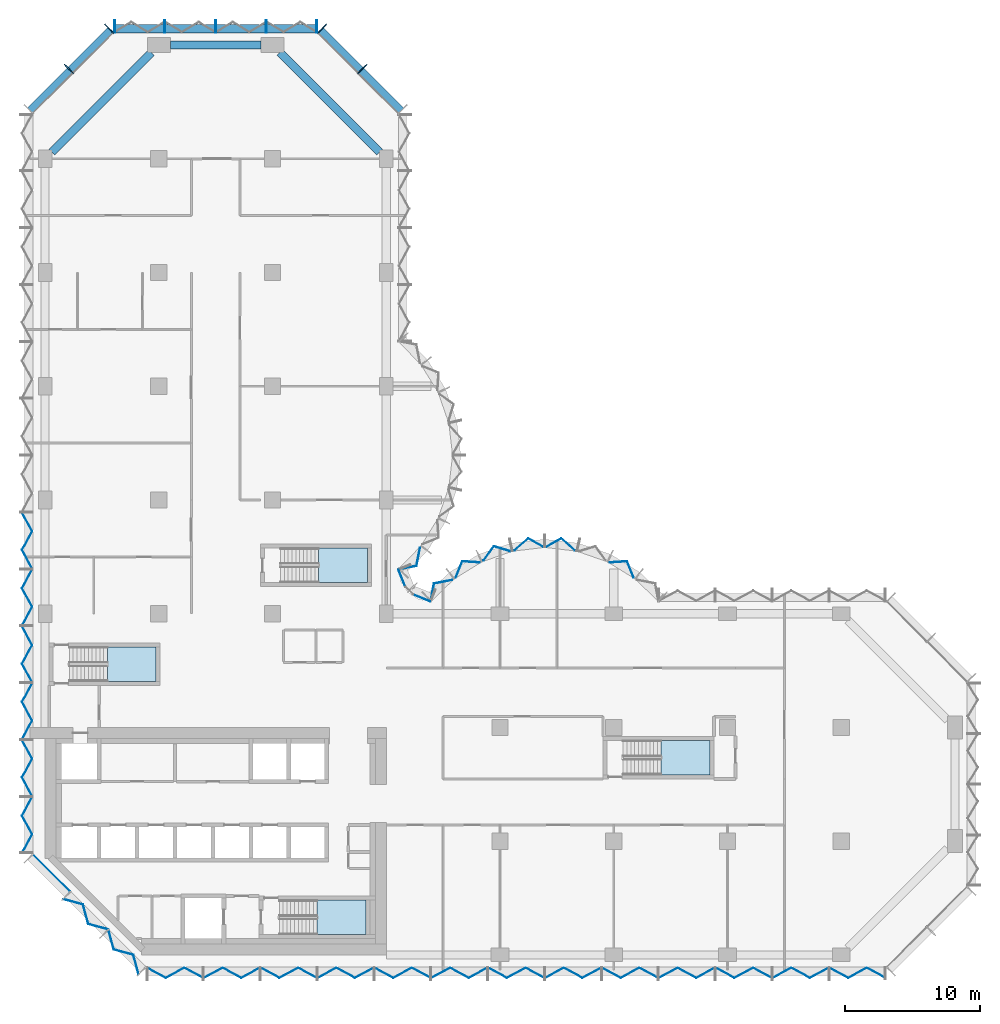
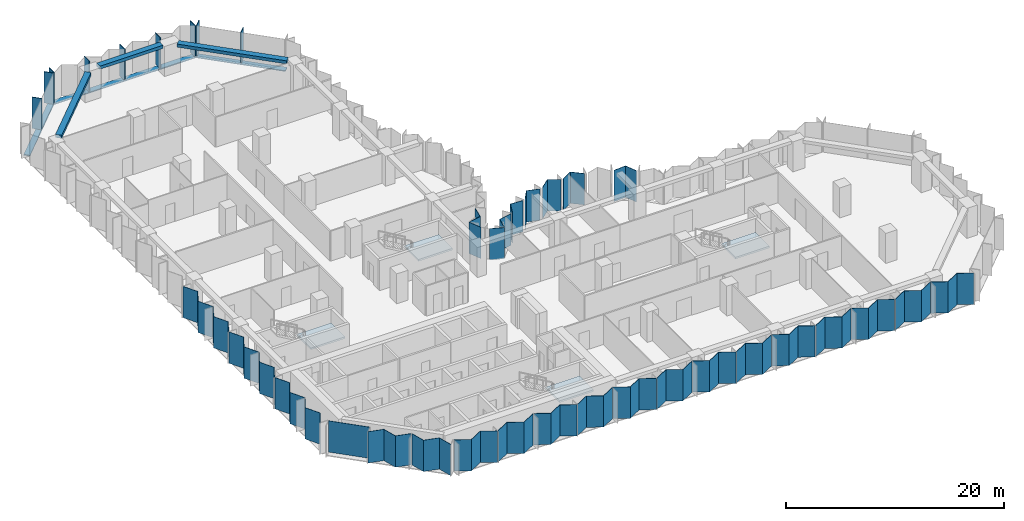
# One storey, part 5 of 13: 31 plates, 12 members, 4 slabs, 3 beams, 13 elements without a shape of their own.
"""IFC4 building model written with IfcOpenShell, lengths in metres."""

from ifc_helpers import new_model, si_unit, direction, frame, origin, origin_2d, place, context, subcontext, project, spatial, polyline, rectangle, outline, extrude, material, layer, layer_set, material_profile, profile_set, type_object, element, aggregate, save


model = new_model("IFC4")

# Units and contexts
model_context = context("Model", 3, precision=1e-05, world=origin(), true_north=direction((0.0, 1.0)))
body_context = subcontext(model_context, "Body", "Model", "MODEL_VIEW")
ifc_project = project(units=[si_unit("LENGTHUNIT", "METRE"), si_unit("AREAUNIT", "SQUARE_METRE"), si_unit("VOLUMEUNIT", "CUBIC_METRE"), si_unit("PLANEANGLEUNIT", "RADIAN"), si_unit("MASSUNIT", "GRAM", prefix="KILO")], contexts=[model_context])

# Site, building, storey
site_placement = place(None, origin())
site = spatial("IfcSite", under=ifc_project, at=site_placement, CompositionType="ELEMENT")
building_placement = place(site_placement, origin())
building = spatial("IfcBuilding", under=site, at=building_placement, Name="Brevane Broadcast Tower", CompositionType="ELEMENT")
storey_placement = place(building_placement, frame((0.0, 0.0, 120.5)))
storey = spatial("IfcBuildingStorey", under=building, at=storey_placement, Name="L29", CompositionType="ELEMENT", Elevation=120.5)

# Curtain wall, members
ifc_material_1 = material(Name="Aluminium 6063-T6 bronze anodised", Category="aluminium")
curtain_wall_type = type_object("IfcCurtainWallType", Name="CW-1 curtain wall", PredefinedType="NOTDEFINED", material=ifc_material_1)
curtain_wall_1_placement = place(storey_placement, origin())
curtain_wall_1 = element("IfcCurtainWall", 1, at=curtain_wall_1_placement, inside=storey, type_object=curtain_wall_type, Name="CW-1 typical tilted unit L29 north arm north-east chamfer", PredefinedType="NOTDEFINED")
ifc_material_profile_1 = material_profile(ifc_material_1, rectangle(XDim=0.949951171875, YDim=0.070068359375, at=origin_2d()), Name="RECT 70x950")
ifc_profile_set_1 = profile_set([ifc_material_profile_1], Name="Aluminium 6063-T6 bronze anodised")
member_type_1 = type_object("IfcMemberType", Name="CW-1 mullion 70x950", PredefinedType="MULLION", material=ifc_profile_set_1)
member_1_placement = place(storey_placement, frame((23.435791015625, 65.435791015625, -0.14990234375), z_axis=(0.0, 0.0, 1.0), x_axis=(-0.707106781187, -0.707106781187, 0.0)))
member_1 = element("IfcMember", 2, at=member_1_placement, type_object=member_type_1, Name="CW-1 mullion", PredefinedType="MULLION", context=body_context, shape_type="SweptSolid", body=[
    extrude(rectangle(XDim=0.949951171875, YDim=0.070068359375, at=origin_2d()), origin(), (0.0, 0.0, 1.0), 3.5),
])
member_2_placement = place(storey_placement, frame((20.460693359375, 68.4111328125, -0.14990234375), z_axis=(0.0, 0.0, 1.0), x_axis=(-0.707106781187, -0.707106781187, 0.0)))
member_2 = element("IfcMember", 3, at=member_2_placement, type_object=member_type_1, Name="CW-1 mullion", PredefinedType="MULLION", context=body_context, shape_type="SweptSolid", body=[
    extrude(rectangle(XDim=0.949951171875, YDim=0.070068359375, at=origin_2d()), origin(), (0.0, 0.0, 1.0), 3.5),
])

curtain_wall_2_placement = place(storey_placement, origin())
curtain_wall_2 = element("IfcCurtainWall", 4, at=curtain_wall_2_placement, inside=storey, type_object=curtain_wall_type, Name="CW-1 typical tilted unit L29 north end", PredefinedType="NOTDEFINED")
member_3_placement = place(storey_placement, frame((20.06494140625, 68.574951171875, -0.14990234375), z_axis=(0.0, 0.0, 1.0), x_axis=(0.0, -1.0, 0.0)))
member_3 = element("IfcMember", 5, at=member_3_placement, type_object=member_type_1, Name="CW-1 mullion", PredefinedType="MULLION", context=body_context, shape_type="SweptSolid", body=[
    extrude(rectangle(XDim=0.949951171875, YDim=0.070068359375, at=origin_2d()), origin(), (0.0, 0.0, 1.0), 3.5),
])
member_4_placement = place(storey_placement, frame((16.35009765625, 68.574951171875, -0.14990234375), z_axis=(0.0, 0.0, 1.0), x_axis=(0.0, -1.0, 0.0)))
member_4 = element("IfcMember", 6, at=member_4_placement, type_object=member_type_1, Name="CW-1 mullion", PredefinedType="MULLION", context=body_context, shape_type="SweptSolid", body=[
    extrude(rectangle(XDim=0.949951171875, YDim=0.070068359375, at=origin_2d()), origin(), (0.0, 0.0, 1.0), 3.5),
])
member_5_placement = place(storey_placement, frame((12.60009765625, 68.574951171875, -0.14990234375), z_axis=(0.0, 0.0, 1.0), x_axis=(0.0, -1.0, 0.0)))
member_5 = element("IfcMember", 7, at=member_5_placement, type_object=member_type_1, Name="CW-1 mullion", PredefinedType="MULLION", context=body_context, shape_type="SweptSolid", body=[
    extrude(rectangle(XDim=0.949951171875, YDim=0.070068359375, at=origin_2d()), origin(), (0.0, 0.0, 1.0), 3.5),
])
member_6_placement = place(storey_placement, frame((8.85009765625, 68.574951171875, -0.14990234375), z_axis=(0.0, 0.0, 1.0), x_axis=(0.0, -1.0, 0.0)))
member_6 = element("IfcMember", 8, at=member_6_placement, type_object=member_type_1, Name="CW-1 mullion", PredefinedType="MULLION", context=body_context, shape_type="SweptSolid", body=[
    extrude(rectangle(XDim=0.949951171875, YDim=0.070068359375, at=origin_2d()), origin(), (0.0, 0.0, 1.0), 3.5),
])
member_7_placement = place(storey_placement, frame((5.135009765625, 68.574951171875, -0.14990234375), z_axis=(0.0, 0.0, 1.0), x_axis=(0.0, -1.0, 0.0)))
member_7 = element("IfcMember", 9, at=member_7_placement, type_object=member_type_1, Name="CW-1 mullion", PredefinedType="MULLION", context=body_context, shape_type="SweptSolid", body=[
    extrude(rectangle(XDim=0.949951171875, YDim=0.070068359375, at=origin_2d()), origin(), (0.0, 0.0, 1.0), 3.5),
])

curtain_wall_3_placement = place(storey_placement, origin())
curtain_wall_3 = element("IfcCurtainWall", 10, at=curtain_wall_3_placement, inside=storey, type_object=curtain_wall_type, Name="CW-1 typical tilted unit L29 north-west chamfer", PredefinedType="NOTDEFINED")
member_8_placement = place(storey_placement, frame((4.7392578125, 68.4111328125, -0.14990234375), z_axis=(0.0, 0.0, 1.0), x_axis=(0.707106781187, -0.707106781187, 0.0)))
member_8 = element("IfcMember", 11, at=member_8_placement, type_object=member_type_1, Name="CW-1 mullion", PredefinedType="MULLION", context=body_context, shape_type="SweptSolid", body=[
    extrude(rectangle(XDim=0.949951171875, YDim=0.070068359375, at=origin_2d()), origin(), (0.0, 0.0, 1.0), 3.5),
])
member_9_placement = place(storey_placement, frame((1.76416015625, 65.435791015625, -0.14990234375), z_axis=(0.0, 0.0, 1.0), x_axis=(0.707106781187, -0.707106781187, 0.0)))
member_9 = element("IfcMember", 12, at=member_9_placement, type_object=member_type_1, Name="CW-1 mullion", PredefinedType="MULLION", context=body_context, shape_type="SweptSolid", body=[
    extrude(rectangle(XDim=0.949951171875, YDim=0.070068359375, at=origin_2d()), origin(), (0.0, 0.0, 1.0), 3.5),
])

# Member
ifc_material_profile_2 = material_profile(ifc_material_1, rectangle(XDim=0.60009765625, YDim=0.10009765625, at=origin_2d()), Name="RECT 100x600")
ifc_profile_set_2 = profile_set([ifc_material_profile_2], Name="Aluminium 6063-T6 bronze anodised")
member_type_2 = type_object("IfcMemberType", Name="CW-1 transom 100x600", PredefinedType="USERDEFINED", material=ifc_profile_set_2)
member_10_placement = place(storey_placement, frame((26.31201171875, 62.31201171875, -0.199951171875), z_axis=(-0.707106781187, 0.707106781187, 0.0), x_axis=(-0.707106781187, -0.707106781187, 0.0)))
member_10 = element("IfcMember", 13, at=member_10_placement, type_object=member_type_2, Name="CW-1 transom", ObjectType="TRANSOM", PredefinedType="USERDEFINED", context=body_context, shape_type="SweptSolid", body=[
    extrude(rectangle(XDim=0.60009765625, YDim=0.10009765625, at=origin_2d()), origin(), (0.0, 0.0, 1.0), 8.4853515625),
])

aggregate(curtain_wall_1, [member_1, member_2, member_10])

member_11_placement = place(storey_placement, frame((20.10009765625, 68.39990234375, -0.199951171875), z_axis=(-1.0, 0.0, 0.0), x_axis=(0.0, -1.0, 0.0)))
member_11 = element("IfcMember", 14, at=member_11_placement, type_object=member_type_2, Name="CW-1 transom", ObjectType="TRANSOM", PredefinedType="USERDEFINED", context=body_context, shape_type="SweptSolid", body=[
    extrude(rectangle(XDim=0.60009765625, YDim=0.10009765625, at=origin_2d()), origin(), (0.0, 0.0, 1.0), 15.0),
])

aggregate(curtain_wall_2, [member_3, member_4, member_5, member_6, member_7, member_11])

member_12_placement = place(storey_placement, frame((4.887939453125, 68.31201171875, -0.199951171875), z_axis=(-0.707106781187, -0.707106781187, 0.0), x_axis=(0.707106781187, -0.707106781187, 0.0)))
member_12 = element("IfcMember", 15, at=member_12_placement, type_object=member_type_2, Name="CW-1 transom", ObjectType="TRANSOM", PredefinedType="USERDEFINED", context=body_context, shape_type="SweptSolid", body=[
    extrude(rectangle(XDim=0.60009765625, YDim=0.10009765625, at=origin_2d()), origin(), (0.0, 0.0, 1.0), 8.4853515625),
])

aggregate(curtain_wall_3, [member_8, member_9, member_12])

# Beams
ifc_material_2 = material(Name="Concrete C40/50", Category="concrete")
ifc_material_profile_3 = material_profile(ifc_material_2, rectangle(XDim=0.60009765625, YDim=0.35009765625, at=origin_2d()), Name="RC 600x350")
ifc_profile_set_3 = profile_set([ifc_material_profile_3], Name="Concrete C40/50")
beam_type = type_object("IfcBeamType", Name="RC SPANDREL BEAM 600x350 C40/50", PredefinedType="SPANDREL", material=ifc_profile_set_3)
beam_1_placement = place(storey_placement, frame((24.699951171875, 59.300048828125, 3.175048828125), z_axis=(-0.707106781187, 0.707106781187, 0.0), x_axis=(-0.707106781187, -0.707106781187, 0.0)))
element("IfcBeam", 16, at=beam_1_placement, inside=storey, type_object=beam_type, Name="EB1 L29-16", PredefinedType="SPANDREL", context=body_context, shape_type="SweptSolid", body=[
    extrude(rectangle(XDim=0.60009765625, YDim=0.35009765625, at=origin_2d()), origin(), (0.0, 0.0, 1.0), 10.394287109375),
])
beam_2_placement = place(storey_placement, frame((15.949951171875, 67.199951171875, 3.175048828125), z_axis=(-1.0, 0.0, 0.0), x_axis=(0.0, -1.0, 0.0)))
element("IfcBeam", 17, at=beam_2_placement, inside=storey, type_object=beam_type, Name="EB1 L29-17", PredefinedType="SPANDREL", context=body_context, shape_type="SweptSolid", body=[
    extrude(rectangle(XDim=0.60009765625, YDim=0.35009765625, at=origin_2d()), origin(), (0.0, 0.0, 1.0), 6.699951171875),
])
beam_3_placement = place(storey_placement, frame((7.85009765625, 66.64990234375, 3.175048828125), z_axis=(-0.707118524903, -0.707095037275, 0.0), x_axis=(0.707095037275, -0.707118524903, 0.0)))
element("IfcBeam", 18, at=beam_3_placement, inside=storey, type_object=beam_type, Name="EB1 L29-18", PredefinedType="SPANDREL", context=body_context, shape_type="SweptSolid", body=[
    extrude(rectangle(XDim=0.60009765625, YDim=0.35009765625, at=origin_2d()), origin(), (0.0, 0.0, 1.0), 10.39453125),
])

# Curtain wall, plates
curtain_wall_4_placement = place(storey_placement, origin())
curtain_wall_4 = element("IfcCurtainWall", 19, at=curtain_wall_4_placement, inside=storey, type_object=curtain_wall_type, Name="CW-1 typical tilted unit L29 south face", PredefinedType="NOTDEFINED")
ifc_material_3 = material(Name="Laminated glass bronze-tinted", Category="glass")
ifc_layer_1 = layer(ifc_material_3, 0.0400390625)
ifc_layer_set_1 = layer_set([ifc_layer_1], Name="CW tall glass panel 40")
plate_type = type_object("IfcPlateType", Name="CW tall glass panel 40", PredefinedType="CURTAIN_PANEL", material=ifc_layer_set_1)
plate_1_placement = place(storey_placement, frame((0.0, 0.0, -0.14990234375)))
plate_1 = element("IfcPlate", 20, at=plate_1_placement, type_object=plate_type, Name="CW-1 glass panel", PredefinedType="CURTAIN_PANEL", context=body_context, shape_type="SweptSolid", body=[
    extrude(outline(polyline([(7.534912109375, -0.92724609375), (7.534912109375, -0.97265625), (8.91162109375, -1.717041015625), (10.288330078125, -0.97265625), (11.6650390625, -1.717041015625), (11.6650390625, -1.671630859375), (10.288330078125, -0.92724609375), (8.91162109375, -1.671630859375), (7.534912109375, -0.92724609375)])), origin(), (0.0, 0.0, 1.0), 3.5),
])
plate_2_placement = place(storey_placement, frame((0.0, 0.0, -0.14990234375)))
plate_2 = element("IfcPlate", 21, at=plate_2_placement, type_object=plate_type, Name="CW-1 glass panel", PredefinedType="CURTAIN_PANEL", context=body_context, shape_type="SweptSolid", body=[
    extrude(outline(polyline([(11.735107421875, -1.671630859375), (11.735107421875, -1.717041015625), (13.11181640625, -0.97265625), (14.48828125, -1.717041015625), (15.864990234375, -0.97265625), (15.864990234375, -0.92724609375), (14.48828125, -1.671630859375), (13.11181640625, -0.92724609375), (11.735107421875, -1.671630859375)])), origin(), (0.0, 0.0, 1.0), 3.5),
])
plate_3_placement = place(storey_placement, frame((0.0, 0.0, -0.14990234375)))
plate_3 = element("IfcPlate", 22, at=plate_3_placement, type_object=plate_type, Name="CW-1 glass panel", PredefinedType="CURTAIN_PANEL", context=body_context, shape_type="SweptSolid", body=[
    extrude(outline(polyline([(15.93505859375, -0.92724609375), (15.93505859375, -0.97265625), (17.311767578125, -1.717041015625), (18.688232421875, -0.97265625), (20.06494140625, -1.717041015625), (20.06494140625, -1.671630859375), (18.688232421875, -0.92724609375), (17.311767578125, -1.671630859375), (15.93505859375, -0.92724609375)])), origin(), (0.0, 0.0, 1.0), 3.5),
])
plate_4_placement = place(storey_placement, frame((0.0, 0.0, -0.14990234375)))
plate_4 = element("IfcPlate", 23, at=plate_4_placement, type_object=plate_type, Name="CW-1 glass panel", PredefinedType="CURTAIN_PANEL", context=body_context, shape_type="SweptSolid", body=[
    extrude(outline(polyline([(20.135009765625, -1.671630859375), (20.135009765625, -1.717041015625), (21.51171875, -0.97265625), (22.88818359375, -1.717041015625), (24.264892578125, -0.97265625), (24.264892578125, -0.92724609375), (22.88818359375, -1.671630859375), (21.51171875, -0.92724609375), (20.135009765625, -1.671630859375)])), origin(), (0.0, 0.0, 1.0), 3.5),
])
plate_5_placement = place(storey_placement, frame((0.0, 0.0, -0.14990234375)))
plate_5 = element("IfcPlate", 24, at=plate_5_placement, type_object=plate_type, Name="CW-1 glass panel", PredefinedType="CURTAIN_PANEL", context=body_context, shape_type="SweptSolid", body=[
    extrude(outline(polyline([(24.3349609375, -0.92724609375), (24.3349609375, -0.97265625), (25.711669921875, -1.717041015625), (27.08837890625, -0.97265625), (28.465087890625, -1.717041015625), (28.465087890625, -1.671630859375), (27.08837890625, -0.92724609375), (25.711669921875, -1.671630859375), (24.3349609375, -0.92724609375)])), origin(), (0.0, 0.0, 1.0), 3.5),
])
plate_6_placement = place(storey_placement, frame((0.0, 0.0, -0.14990234375)))
plate_6 = element("IfcPlate", 25, at=plate_6_placement, type_object=plate_type, Name="CW-1 glass panel", PredefinedType="CURTAIN_PANEL", context=body_context, shape_type="SweptSolid", body=[
    extrude(outline(polyline([(28.534912109375, -1.671630859375), (28.534912109375, -1.717041015625), (29.91162109375, -0.97265625), (31.288330078125, -1.717041015625), (32.6650390625, -0.97265625), (32.6650390625, -0.92724609375), (31.288330078125, -1.671630859375), (29.91162109375, -0.92724609375), (28.534912109375, -1.671630859375)])), origin(), (0.0, 0.0, 1.0), 3.5),
])
plate_7_placement = place(storey_placement, frame((0.0, 0.0, -0.14990234375)))
plate_7 = element("IfcPlate", 26, at=plate_7_placement, type_object=plate_type, Name="CW-1 glass panel", PredefinedType="CURTAIN_PANEL", context=body_context, shape_type="SweptSolid", body=[
    extrude(outline(polyline([(32.735107421875, -0.92724609375), (32.735107421875, -0.97265625), (34.11181640625, -1.717041015625), (35.48828125, -0.97265625), (36.864990234375, -1.717041015625), (36.864990234375, -1.671630859375), (35.48828125, -0.92724609375), (34.11181640625, -1.671630859375), (32.735107421875, -0.92724609375)])), origin(), (0.0, 0.0, 1.0), 3.5),
])
plate_8_placement = place(storey_placement, frame((0.0, 0.0, -0.14990234375)))
plate_8 = element("IfcPlate", 27, at=plate_8_placement, type_object=plate_type, Name="CW-1 glass panel", PredefinedType="CURTAIN_PANEL", context=body_context, shape_type="SweptSolid", body=[
    extrude(outline(polyline([(36.93505859375, -1.671630859375), (36.93505859375, -1.717041015625), (38.311767578125, -0.97265625), (39.688232421875, -1.717041015625), (41.06494140625, -0.97265625), (41.06494140625, -0.92724609375), (39.688232421875, -1.671630859375), (38.311767578125, -0.92724609375), (36.93505859375, -1.671630859375)])), origin(), (0.0, 0.0, 1.0), 3.5),
])
plate_9_placement = place(storey_placement, frame((0.0, 0.0, -0.14990234375)))
plate_9 = element("IfcPlate", 28, at=plate_9_placement, type_object=plate_type, Name="CW-1 glass panel", PredefinedType="CURTAIN_PANEL", context=body_context, shape_type="SweptSolid", body=[
    extrude(outline(polyline([(41.135009765625, -0.92724609375), (41.135009765625, -0.97265625), (42.51171875, -1.717041015625), (43.88818359375, -0.97265625), (45.264892578125, -1.717041015625), (45.264892578125, -1.671630859375), (43.88818359375, -0.92724609375), (42.51171875, -1.671630859375), (41.135009765625, -0.92724609375)])), origin(), (0.0, 0.0, 1.0), 3.5),
])
plate_10_placement = place(storey_placement, frame((0.0, 0.0, -0.14990234375)))
plate_10 = element("IfcPlate", 29, at=plate_10_placement, type_object=plate_type, Name="CW-1 glass panel", PredefinedType="CURTAIN_PANEL", context=body_context, shape_type="SweptSolid", body=[
    extrude(outline(polyline([(45.3349609375, -1.671630859375), (45.3349609375, -1.717041015625), (46.711669921875, -0.97265625), (48.08837890625, -1.717041015625), (49.465087890625, -0.97265625), (49.465087890625, -0.92724609375), (48.08837890625, -1.671630859375), (46.711669921875, -0.92724609375), (45.3349609375, -1.671630859375)])), origin(), (0.0, 0.0, 1.0), 3.5),
])
plate_11_placement = place(storey_placement, frame((0.0, 0.0, -0.14990234375)))
plate_11 = element("IfcPlate", 30, at=plate_11_placement, type_object=plate_type, Name="CW-1 glass panel", PredefinedType="CURTAIN_PANEL", context=body_context, shape_type="SweptSolid", body=[
    extrude(outline(polyline([(49.534912109375, -0.92724609375), (49.534912109375, -0.97265625), (50.91162109375, -1.717041015625), (52.288330078125, -0.97265625), (53.6650390625, -1.717041015625), (53.6650390625, -1.671630859375), (52.288330078125, -0.92724609375), (50.91162109375, -1.671630859375), (49.534912109375, -0.92724609375)])), origin(), (0.0, 0.0, 1.0), 3.5),
])
plate_12_placement = place(storey_placement, frame((0.0, 0.0, -0.14990234375)))
plate_12 = element("IfcPlate", 31, at=plate_12_placement, type_object=plate_type, Name="CW-1 glass panel", PredefinedType="CURTAIN_PANEL", context=body_context, shape_type="SweptSolid", body=[
    extrude(outline(polyline([(53.735107421875, -1.671630859375), (53.735107421875, -1.717041015625), (55.11181640625, -0.97265625), (56.48828125, -1.717041015625), (57.864990234375, -0.97265625), (57.864990234375, -0.92724609375), (56.48828125, -1.671630859375), (55.11181640625, -0.92724609375), (53.735107421875, -1.671630859375)])), origin(), (0.0, 0.0, 1.0), 3.5),
])
plate_13_placement = place(storey_placement, frame((0.0, 0.0, -0.14990234375)))
plate_13 = element("IfcPlate", 32, at=plate_13_placement, type_object=plate_type, Name="CW-1 glass panel", PredefinedType="CURTAIN_PANEL", context=body_context, shape_type="SweptSolid", body=[
    extrude(outline(polyline([(57.93505859375, -0.92724609375), (57.93505859375, -0.97265625), (59.311767578125, -1.717041015625), (60.688232421875, -0.97265625), (62.06494140625, -1.717041015625), (62.06494140625, -1.671630859375), (60.688232421875, -0.92724609375), (59.311767578125, -1.671630859375), (57.93505859375, -0.92724609375)])), origin(), (0.0, 0.0, 1.0), 3.5),
])
aggregate(curtain_wall_4, [plate_1, plate_2, plate_3, plate_4, plate_5, plate_6, plate_7, plate_8, plate_9, plate_10, plate_11, plate_12, plate_13])

curtain_wall_5_placement = place(storey_placement, origin())
curtain_wall_5 = element("IfcCurtainWall", 33, at=curtain_wall_5_placement, inside=storey, type_object=curtain_wall_type, Name="CW-1 typical tilted unit L29 east bow", PredefinedType="NOTDEFINED")
plate_14_placement = place(storey_placement, frame((0.0, 0.0, -0.14990234375)))
plate_14 = element("IfcPlate", 34, at=plate_14_placement, type_object=plate_type, Name="CW-1 glass panel", PredefinedType="CURTAIN_PANEL", context=body_context, shape_type="SweptSolid", body=[
    extrude(outline(polyline([(43.45703125, 27.8759765625), (43.4853515625, 27.912109375), (43.00390625, 29.089111328125), (41.710693359375, 29.006591796875), (41.69091796875, 28.96533203125), (42.977783203125, 29.04736328125), (43.45703125, 27.8759765625)])), origin(), (0.0, 0.0, 1.0), 3.5),
])
plate_15_placement = place(storey_placement, frame((0.0, 0.0, -0.14990234375)))
plate_15 = element("IfcPlate", 35, at=plate_15_placement, type_object=plate_type, Name="CW-1 glass panel", PredefinedType="CURTAIN_PANEL", context=body_context, shape_type="SweptSolid", body=[
    extrude(outline(polyline([(39.125, 29.859619140625), (39.13525390625, 29.903564453125), (38.116943359375, 30.779296875), (37.008056640625, 30.15869140625), (37.008056640625, 30.11279296875), (38.112060546875, 30.730712890625), (39.125, 29.859619140625)])), origin(), (0.0, 0.0, 1.0), 3.5),
])
plate_16_placement = place(storey_placement, frame((0.0, 0.0, -0.14990234375)))
plate_16 = element("IfcPlate", 36, at=plate_16_placement, type_object=plate_type, Name="CW-1 glass panel", PredefinedType="CURTAIN_PANEL", context=body_context, shape_type="SweptSolid", body=[
    extrude(outline(polyline([(36.7919921875, 30.11279296875), (36.7919921875, 30.15869140625), (35.68310546875, 30.779296875), (34.664794921875, 29.903564453125), (34.6748046875, 29.859619140625), (35.68798828125, 30.730712890625), (36.7919921875, 30.11279296875)])), origin(), (0.0, 0.0, 1.0), 3.5),
])
plate_17_placement = place(storey_placement, frame((0.0, 0.0, -0.14990234375)))
plate_17 = element("IfcPlate", 37, at=plate_17_placement, type_object=plate_type, Name="CW-1 glass panel", PredefinedType="CURTAIN_PANEL", context=body_context, shape_type="SweptSolid", body=[
    extrude(outline(polyline([(34.359619140625, 29.78857421875), (34.349365234375, 29.83349609375), (33.132080078125, 30.20166015625), (32.381103515625, 29.1455078125), (32.400634765625, 29.104248046875), (33.148193359375, 30.155029296875), (34.359619140625, 29.78857421875)])), origin(), (0.0, 0.0, 1.0), 3.5),
])
plate_18_placement = place(storey_placement, frame((0.0, 0.0, -0.14990234375)))
plate_18 = element("IfcPlate", 38, at=plate_18_placement, type_object=plate_type, Name="CW-1 glass panel", PredefinedType="CURTAIN_PANEL", context=body_context, shape_type="SweptSolid", body=[
    extrude(outline(polyline([(32.10888671875, 28.96533203125), (32.08935546875, 29.006591796875), (30.7958984375, 29.089111328125), (30.314697265625, 27.912109375), (30.343017578125, 27.8759765625), (30.822265625, 29.04736328125), (32.10888671875, 28.96533203125)])), origin(), (0.0, 0.0, 1.0), 3.5),
])
plate_19_placement = place(storey_placement, frame((0.0, 0.0, -0.14990234375)))
plate_19 = element("IfcPlate", 39, at=plate_19_placement, type_object=plate_type, Name="CW-1 glass panel", PredefinedType="CURTAIN_PANEL", context=body_context, shape_type="SweptSolid", body=[
    extrude(outline(polyline([(30.089111328125, 27.67626953125), (30.0615234375, 27.71142578125), (28.7138671875, 27.447265625), (28.471923828125, 26.17919921875), (28.506103515625, 26.14404296875), (28.748046875, 27.4130859375), (30.089111328125, 27.67626953125)])), origin(), (0.0, 0.0, 1.0), 3.5),
])
aggregate(curtain_wall_5, [plate_14, plate_15, plate_16, plate_17, plate_18, plate_19])

curtain_wall_6_placement = place(storey_placement, origin())
curtain_wall_6 = element("IfcCurtainWall", 40, at=curtain_wall_6_placement, inside=storey, type_object=curtain_wall_type, Name="CW-1 typical tilted unit L29 inner corner", PredefinedType="NOTDEFINED")
plate_20_placement = place(storey_placement, frame((0.0, 0.0, -0.14990234375)))
plate_20 = element("IfcPlate", 41, at=plate_20_placement, type_object=plate_type, Name="CW-1 glass panel", PredefinedType="CURTAIN_PANEL", context=body_context, shape_type="SweptSolid", body=[
    extrude(outline(polyline([(28.45166015625, 26.07470703125), (28.466796875, 26.111572265625), (27.2021484375, 26.635498046875), (27.17138671875, 26.60498046875), (28.45166015625, 26.07470703125)])), origin(), (0.0, 0.0, 1.0), 3.5),
])
plate_21_placement = place(storey_placement, frame((0.0, 0.0, -0.14990234375)))
plate_21 = element("IfcPlate", 42, at=plate_21_placement, type_object=plate_type, Name="CW-1 glass panel", PredefinedType="CURTAIN_PANEL", context=body_context, shape_type="SweptSolid", body=[
    extrude(outline(polyline([(26.60498046875, 27.17138671875), (26.635498046875, 27.2021484375), (26.111572265625, 28.466796875), (26.07470703125, 28.45166015625), (26.60498046875, 27.17138671875)])), origin(), (0.0, 0.0, 1.0), 3.5),
])
aggregate(curtain_wall_6, [plate_20, plate_21])

# Curtain wall, plate
curtain_wall_7_placement = place(storey_placement, origin())
curtain_wall_7 = element("IfcCurtainWall", 43, at=curtain_wall_7_placement, inside=storey, type_object=curtain_wall_type, Name="CW-1 typical tilted unit L29 north bow", PredefinedType="NOTDEFINED")
plate_22_placement = place(storey_placement, frame((0.0, 0.0, -0.14990234375)))
plate_22 = element("IfcPlate", 44, at=plate_22_placement, type_object=plate_type, Name="CW-1 glass panel", PredefinedType="CURTAIN_PANEL", context=body_context, shape_type="SweptSolid", body=[
    extrude(outline(polyline([(26.14404296875, 28.506103515625), (26.17919921875, 28.471923828125), (27.447265625, 28.7138671875), (27.71142578125, 30.0615234375), (27.67626953125, 30.089111328125), (27.4130859375, 28.748046875), (26.14404296875, 28.506103515625)])), origin(), (0.0, 0.0, 1.0), 3.5),
])
aggregate(curtain_wall_7, [plate_22])

# Curtain wall, plates
curtain_wall_8_placement = place(storey_placement, origin())
curtain_wall_8 = element("IfcCurtainWall", 45, at=curtain_wall_8_placement, inside=storey, type_object=curtain_wall_type, Name="CW-1 typical tilted unit L29 west face", PredefinedType="NOTDEFINED")
plate_23_placement = place(storey_placement, frame((0.0, 0.0, -0.14990234375)))
plate_23 = element("IfcPlate", 46, at=plate_23_placement, type_object=plate_type, Name="CW-1 glass panel", PredefinedType="CURTAIN_PANEL", context=body_context, shape_type="SweptSolid", body=[
    extrude(outline(polyline([(-1.671630859375, 32.6650390625), (-1.717041015625, 32.6650390625), (-0.97265625, 31.288330078125), (-1.717041015625, 29.91162109375), (-0.97265625, 28.534912109375), (-0.92724609375, 28.534912109375), (-1.671630859375, 29.91162109375), (-0.92724609375, 31.288330078125), (-1.671630859375, 32.6650390625)])), origin(), (0.0, 0.0, 1.0), 3.5),
])
plate_24_placement = place(storey_placement, frame((0.0, 0.0, -0.14990234375)))
plate_24 = element("IfcPlate", 47, at=plate_24_placement, type_object=plate_type, Name="CW-1 glass panel", PredefinedType="CURTAIN_PANEL", context=body_context, shape_type="SweptSolid", body=[
    extrude(outline(polyline([(-0.92724609375, 28.465087890625), (-0.97265625, 28.465087890625), (-1.717041015625, 27.08837890625), (-0.97265625, 25.711669921875), (-1.717041015625, 24.3349609375), (-1.671630859375, 24.3349609375), (-0.92724609375, 25.711669921875), (-1.671630859375, 27.08837890625), (-0.92724609375, 28.465087890625)])), origin(), (0.0, 0.0, 1.0), 3.5),
])
plate_25_placement = place(storey_placement, frame((0.0, 0.0, -0.14990234375)))
plate_25 = element("IfcPlate", 48, at=plate_25_placement, type_object=plate_type, Name="CW-1 glass panel", PredefinedType="CURTAIN_PANEL", context=body_context, shape_type="SweptSolid", body=[
    extrude(outline(polyline([(-1.671630859375, 24.264892578125), (-1.717041015625, 24.264892578125), (-0.97265625, 22.88818359375), (-1.717041015625, 21.51171875), (-0.97265625, 20.135009765625), (-0.92724609375, 20.135009765625), (-1.671630859375, 21.51171875), (-0.92724609375, 22.88818359375), (-1.671630859375, 24.264892578125)])), origin(), (0.0, 0.0, 1.0), 3.5),
])
plate_26_placement = place(storey_placement, frame((0.0, 0.0, -0.14990234375)))
plate_26 = element("IfcPlate", 49, at=plate_26_placement, type_object=plate_type, Name="CW-1 glass panel", PredefinedType="CURTAIN_PANEL", context=body_context, shape_type="SweptSolid", body=[
    extrude(outline(polyline([(-0.92724609375, 20.06494140625), (-0.97265625, 20.06494140625), (-1.717041015625, 18.688232421875), (-0.97265625, 17.311767578125), (-1.717041015625, 15.93505859375), (-1.671630859375, 15.93505859375), (-0.92724609375, 17.311767578125), (-1.671630859375, 18.688232421875), (-0.92724609375, 20.06494140625)])), origin(), (0.0, 0.0, 1.0), 3.5),
])
plate_27_placement = place(storey_placement, frame((0.0, 0.0, -0.14990234375)))
plate_27 = element("IfcPlate", 50, at=plate_27_placement, type_object=plate_type, Name="CW-1 glass panel", PredefinedType="CURTAIN_PANEL", context=body_context, shape_type="SweptSolid", body=[
    extrude(outline(polyline([(-1.671630859375, 15.864990234375), (-1.717041015625, 15.864990234375), (-0.97265625, 14.48828125), (-1.717041015625, 13.11181640625), (-0.97265625, 11.735107421875), (-0.92724609375, 11.735107421875), (-1.671630859375, 13.11181640625), (-0.92724609375, 14.48828125), (-1.671630859375, 15.864990234375)])), origin(), (0.0, 0.0, 1.0), 3.5),
])
plate_28_placement = place(storey_placement, frame((0.0, 0.0, -0.14990234375)))
plate_28 = element("IfcPlate", 51, at=plate_28_placement, type_object=plate_type, Name="CW-1 glass panel", PredefinedType="CURTAIN_PANEL", context=body_context, shape_type="SweptSolid", body=[
    extrude(outline(polyline([(-0.92724609375, 11.6650390625), (-0.97265625, 11.6650390625), (-1.717041015625, 10.288330078125), (-0.97265625, 8.91162109375), (-1.717041015625, 7.534912109375), (-1.671630859375, 7.534912109375), (-0.92724609375, 8.91162109375), (-1.671630859375, 10.288330078125), (-0.92724609375, 11.6650390625)])), origin(), (0.0, 0.0, 1.0), 3.5),
])
aggregate(curtain_wall_8, [plate_23, plate_24, plate_25, plate_26, plate_27, plate_28])

curtain_wall_9_placement = place(storey_placement, origin())
curtain_wall_9 = element("IfcCurtainWall", 52, at=curtain_wall_9_placement, inside=storey, type_object=curtain_wall_type, Name="CW-1 typical tilted unit L29 south-west chamfer", PredefinedType="NOTDEFINED")
plate_29_placement = place(storey_placement, frame((0.0, 0.0, -0.14990234375)))
plate_29 = element("IfcPlate", 53, at=plate_29_placement, type_object=plate_type, Name="CW-1 glass panel", PredefinedType="CURTAIN_PANEL", context=body_context, shape_type="SweptSolid", body=[
    extrude(outline(polyline([(-0.896484375, 7.4541015625), (1.85400390625, 4.70361328125), (1.82568359375, 4.67529296875), (-0.9248046875, 7.42578125), (-0.896484375, 7.4541015625)])), origin(), (0.0, 0.0, 1.0), 3.5),
])
plate_30_placement = place(storey_placement, frame((0.0, 0.0, -0.14990234375)))
plate_30 = element("IfcPlate", 54, at=plate_30_placement, type_object=plate_type, Name="CW-1 glass panel", PredefinedType="CURTAIN_PANEL", context=body_context, shape_type="SweptSolid", body=[
    extrude(outline(polyline([(1.37939453125, 4.1298828125), (1.3466796875, 4.09716796875), (2.789794921875, 3.706787109375), (3.180419921875, 2.263671875), (4.62353515625, 1.873046875), (4.65625, 1.90576171875), (3.212890625, 2.296142578125), (2.822509765625, 3.739501953125), (1.37939453125, 4.1298828125)])), origin(), (0.0, 0.0, 1.0), 3.5),
])
plate_31_placement = place(storey_placement, frame((0.0, 0.0, -0.14990234375)))
plate_31 = element("IfcPlate", 55, at=plate_31_placement, type_object=plate_type, Name="CW-1 glass panel", PredefinedType="CURTAIN_PANEL", context=body_context, shape_type="SweptSolid", body=[
    extrude(outline(polyline([(4.705810546875, 1.856201171875), (4.673095703125, 1.823486328125), (5.063720703125, 0.38037109375), (6.5068359375, -0.010009765625), (6.897216796875, -1.453369140625), (6.9296875, -1.420654296875), (6.539306640625, 0.0224609375), (5.09619140625, 0.4130859375), (4.705810546875, 1.856201171875)])), origin(), (0.0, 0.0, 1.0), 3.5),
])
aggregate(curtain_wall_9, [plate_29, plate_30, plate_31])

# Stair, slab
ifc_material_4 = material(Name="Concrete C50/60", Category="concrete")
stair_type = type_object("IfcStairType", Name="Exit stair 22 risers", PredefinedType="HALF_TURN_STAIR", material=ifc_material_4)
stair_1_placement = place(storey_placement, origin())
stair_1 = element("IfcStair", 56, at=stair_1_placement, inside=storey, type_object=stair_type, Name="L29 Exit stair ST-1", PredefinedType="HALF_TURN_STAIR")
ifc_layer_2 = layer(ifc_material_4, 0.199951171875)
ifc_layer_set_2 = layer_set([ifc_layer_2], Name="Exit stair landing")
slab_type = type_object("IfcSlabType", Name="Exit stair landing", PredefinedType="LANDING", material=ifc_layer_set_2)
slab_1_placement = place(storey_placement, frame((0.0, 0.0, 1.60009765625)))
slab_1 = element("IfcSlab", 57, at=slab_1_placement, type_object=slab_type, Name="ST-1 landing 1", PredefinedType="LANDING", context=body_context, shape_type="SweptSolid", body=[
    extrude(outline(polyline([(4.60009765625, 20.199951171875), (8.199951171875, 20.199951171875), (8.199951171875, 22.75), (4.60009765625, 22.75), (4.60009765625, 20.199951171875)])), origin(), (0.0, 0.0, 1.0), 0.199951171875),
])
aggregate(stair_1, [slab_1])

stair_2_placement = place(storey_placement, origin())
stair_2 = element("IfcStair", 58, at=stair_2_placement, inside=storey, type_object=stair_type, Name="L29 Exit stair ST-2", PredefinedType="HALF_TURN_STAIR")
slab_2_placement = place(storey_placement, frame((0.0, 0.0, 1.60009765625)))
slab_2 = element("IfcSlab", 59, at=slab_2_placement, type_object=slab_type, Name="ST-2 landing 1", PredefinedType="LANDING", context=body_context, shape_type="SweptSolid", body=[
    extrude(outline(polyline([(20.10009765625, 1.5), (23.699951171875, 1.5), (23.699951171875, 4.050048828125), (20.10009765625, 4.050048828125), (20.10009765625, 1.5)])), origin(), (0.0, 0.0, 1.0), 0.199951171875),
])
aggregate(stair_2, [slab_2])

stair_3_placement = place(storey_placement, origin())
stair_3 = element("IfcStair", 60, at=stair_3_placement, inside=storey, type_object=stair_type, Name="L29 Exit stair ST-3", PredefinedType="HALF_TURN_STAIR")
slab_3_placement = place(storey_placement, frame((0.0, 0.0, 1.60009765625)))
slab_3 = element("IfcSlab", 61, at=slab_3_placement, type_object=slab_type, Name="ST-3 landing 1", PredefinedType="LANDING", context=body_context, shape_type="SweptSolid", body=[
    extrude(outline(polyline([(20.199951171875, 27.5), (23.800048828125, 27.5), (23.800048828125, 30.050048828125), (20.199951171875, 30.050048828125), (20.199951171875, 27.5)])), origin(), (0.0, 0.0, 1.0), 0.199951171875),
])
aggregate(stair_3, [slab_3])

stair_4_placement = place(storey_placement, origin())
stair_4 = element("IfcStair", 62, at=stair_4_placement, inside=storey, type_object=stair_type, Name="L29 Exit stair ST-4", PredefinedType="HALF_TURN_STAIR")
slab_4_placement = place(storey_placement, frame((0.0, 0.0, 1.60009765625)))
slab_4 = element("IfcSlab", 63, at=slab_4_placement, type_object=slab_type, Name="ST-4 landing 1", PredefinedType="LANDING", context=body_context, shape_type="SweptSolid", body=[
    extrude(outline(polyline([(45.5, 13.300048828125), (49.10009765625, 13.300048828125), (49.10009765625, 15.85009765625), (45.5, 15.85009765625), (45.5, 13.300048828125)])), origin(), (0.0, 0.0, 1.0), 0.199951171875),
])
aggregate(stair_4, [slab_4])

save(model, "model.ifc")
